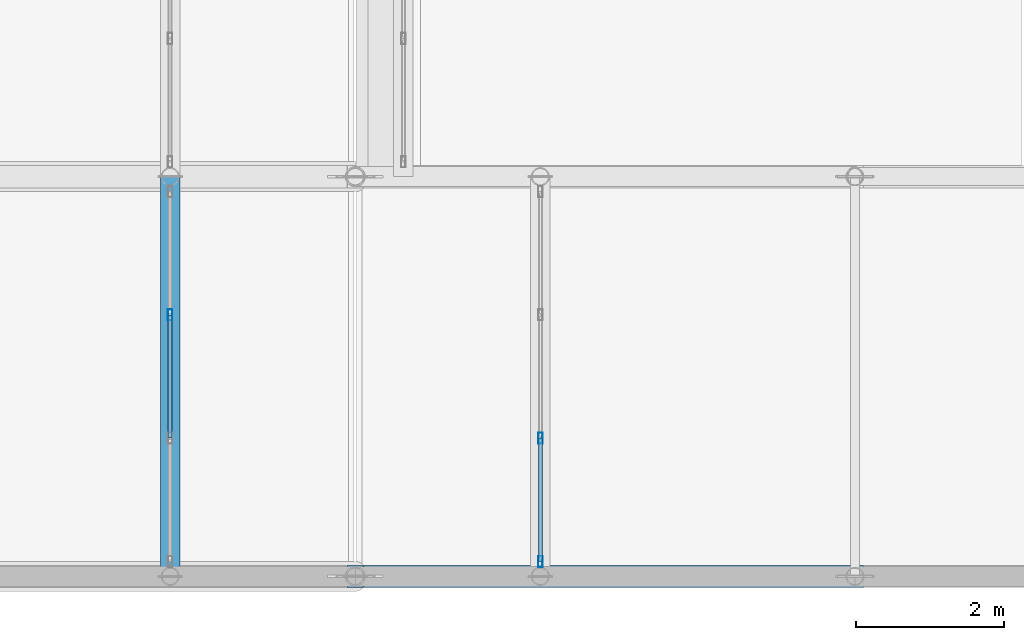
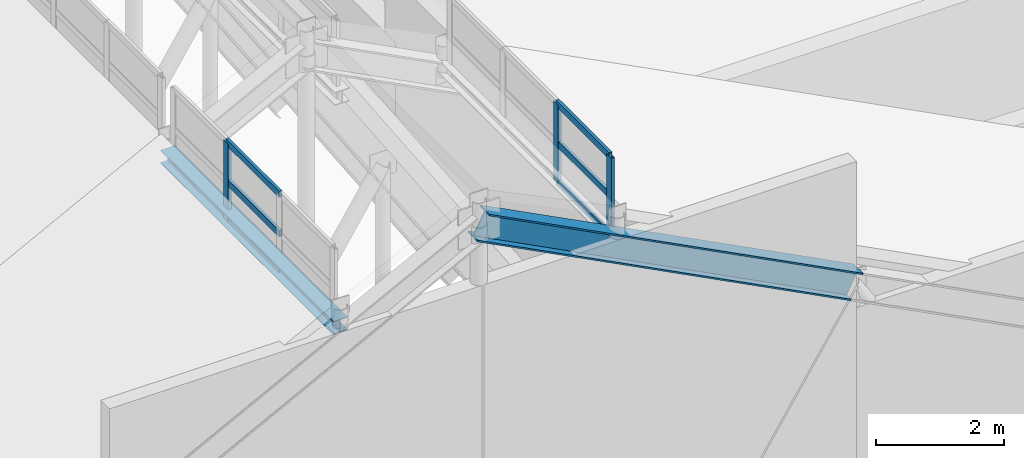
# One storey, part 7 of 84: 10 members, 1 beam, 2 elements without a shape of their own.
"""IFC4 building model written with IfcOpenShell, lengths in metres."""

from ifc_helpers import new_model, si_unit, direction, frame, origin, origin_2d, place, context, subcontext, project, spatial, hollow_rectangle, i_section, extrude, material, layer, layer_set, material_profile, profile_set, type_object, element, aggregate, save


model = new_model("IFC4")

# Units and contexts
model_context = context("Model", 3, precision=1e-05, world=origin(), true_north=direction((0.0, 1.0)))
body_context = subcontext(model_context, "Body", "Model", "MODEL_VIEW")
ifc_project = project(units=[si_unit("LENGTHUNIT", "METRE"), si_unit("AREAUNIT", "SQUARE_METRE"), si_unit("VOLUMEUNIT", "CUBIC_METRE"), si_unit("PLANEANGLEUNIT", "RADIAN"), si_unit("MASSUNIT", "GRAM", prefix="KILO")], contexts=[model_context])

# Site, building, storey
site_placement = place(None, origin())
site = spatial("IfcSite", under=ifc_project, at=site_placement, CompositionType="ELEMENT")
building_placement = place(site_placement, origin())
building = spatial("IfcBuilding", under=site, at=building_placement, Name="Sundgate Opera House", CompositionType="ELEMENT")
storey_placement = place(building_placement, frame((0.0, 0.0, 30.60009765625)))
storey = spatial("IfcBuildingStorey", under=building, at=storey_placement, Name="L06", CompositionType="ELEMENT", Elevation=30.60009765625)

# Beam
ifc_material_1 = material(Name="Steel S355J2", Category="steel")
ifc_material_profile_1 = material_profile(ifc_material_1, i_section(OverallWidth=0.260009765625, OverallDepth=0.25, WebThickness=0.007568359375, FlangeThickness=0.012451171875, at=origin_2d()), Name="HEA 260")
ifc_profile_set_1 = profile_set([ifc_material_profile_1], Name="Steel S355J2")
beam_type = type_object("IfcBeamType", Name="BM-LN-HEA260", PredefinedType="LINTEL", material=ifc_profile_set_1)
beam_placement = place(storey_placement, frame((51.5, 33.0, 12.119873046875), z_axis=(0.0, 1.0, 0.0), x_axis=(-1.0, 0.0, 0.0)))
element("IfcBeam", 1, at=beam_placement, inside=storey, type_object=beam_type, Name="L06 Crown Clerestory Curb Beam BS022", PredefinedType="LINTEL", context=body_context, shape_type="SweptSolid", body=[
    extrude(i_section(OverallWidth=0.260009765625, OverallDepth=0.25, WebThickness=0.007568359375, FlangeThickness=0.012451171875, at=origin_2d()), origin(), (0.0, 0.0, 1.0), 5.39990234375),
])

# Curtain wall, member
ifc_material_2 = material(Name="Anodized aluminium and low-iron glass", Category="aluminium")
ifc_layer = layer(ifc_material_2, 0.169921875)
ifc_layer_set = layer_set([ifc_layer], Name="Anodized aluminium and low-iron glass")
curtain_wall_type = type_object("IfcCurtainWallType", Name="CW-LANTERN-POLY", PredefinedType="NOTDEFINED", material=ifc_layer_set)
curtain_wall_1_placement = place(storey_placement, origin())
curtain_wall_1 = element("IfcCurtainWall", 2, at=curtain_wall_1_placement, inside=storey, type_object=curtain_wall_type, Name="L06 Curtain Wall CW169", PredefinedType="NOTDEFINED")
ifc_material_3 = material(Name="Anodized aluminium EN AW-6063", Category="aluminium")
ifc_material_profile_2 = material_profile(ifc_material_3, hollow_rectangle(XDim=0.06005859375, YDim=0.14990234375, WallThickness=0.00390625, at=origin_2d()), Name="CWM 150x60x4")
ifc_profile_set_2 = profile_set([ifc_material_profile_2], Name="Anodized aluminium EN AW-6063")
member_type_1 = type_object("IfcMemberType", Name="CWM-ALU-150x60", PredefinedType="MULLION", material=ifc_profile_set_2)
member_1_placement = place(storey_placement, frame((51.5, 36.533447265625, 12.0), z_axis=(0.0, 0.0, 1.0), x_axis=(1.0, 0.0, 0.0)))
member_1 = element("IfcMember", 3, at=member_1_placement, type_object=member_type_1, Name="CW169 Mullion 2", PredefinedType="MULLION", context=body_context, shape_type="SweptSolid", body=[
    extrude(hollow_rectangle(XDim=0.06005859375, YDim=0.14990234375, WallThickness=0.00390625, at=origin_2d()), origin(), (0.0, 0.0, 1.0), 1.5),
])

# Curtain wall, members
curtain_wall_2_placement = place(storey_placement, origin())
curtain_wall_2 = element("IfcCurtainWall", 4, at=curtain_wall_2_placement, inside=storey, type_object=curtain_wall_type, Name="L06 Curtain Wall CW170", PredefinedType="NOTDEFINED")
member_2_placement = place(storey_placement, frame((56.5, 33.199951171875, 12.0), z_axis=(0.0, 0.0, 1.0), x_axis=(1.0, 0.0, 0.0)))
member_2 = element("IfcMember", 5, at=member_2_placement, type_object=member_type_1, Name="CW170 Mullion 1", PredefinedType="MULLION", context=body_context, shape_type="SweptSolid", body=[
    extrude(hollow_rectangle(XDim=0.06005859375, YDim=0.14990234375, WallThickness=0.00390625, at=origin_2d()), origin(), (0.0, 0.0, 1.0), 1.5),
])
member_3_placement = place(storey_placement, frame((56.5, 34.86669921875, 12.0), z_axis=(0.0, 0.0, 1.0), x_axis=(1.0, 0.0, 0.0)))
member_3 = element("IfcMember", 6, at=member_3_placement, type_object=member_type_1, Name="CW170 Mullion 2", PredefinedType="MULLION", context=body_context, shape_type="SweptSolid", body=[
    extrude(hollow_rectangle(XDim=0.06005859375, YDim=0.14990234375, WallThickness=0.00390625, at=origin_2d()), origin(), (0.0, 0.0, 1.0), 1.5),
])

# Member
ifc_material_4 = material(Name="Anodized aluminium EN AW-6063", Category="aluminium")
ifc_material_profile_3 = material_profile(ifc_material_4, hollow_rectangle(XDim=0.054931640625, YDim=0.1201171875, WallThickness=0.00390625, at=origin_2d()), Name="CWT 120x55x4")
ifc_profile_set_3 = profile_set([ifc_material_profile_3], Name="Anodized aluminium EN AW-6063")
member_type_2 = type_object("IfcMemberType", Name="CWT-ALU-120x55", PredefinedType="USERDEFINED", material=ifc_profile_set_3)
member_4_placement = place(storey_placement, frame((51.5, 36.533447265625, 12.0), z_axis=(0.0, -1.0, 0.0), x_axis=(1.0, 0.0, 0.0)))
member_4 = element("IfcMember", 7, at=member_4_placement, type_object=member_type_2, Name="CW169 Transom 4", ObjectType="TRANSOM", PredefinedType="USERDEFINED", context=body_context, shape_type="SweptSolid", body=[
    extrude(hollow_rectangle(XDim=0.054931640625, YDim=0.1201171875, WallThickness=0.00390625, at=origin_2d()), origin(), (0.0, 0.0, 1.0), 1.666748046875),
])

member_5_placement = place(storey_placement, frame((51.5, 36.533447265625, 12.75), z_axis=(0.0, -1.0, 0.0), x_axis=(1.0, 0.0, 0.0)))
member_5 = element("IfcMember", 8, at=member_5_placement, type_object=member_type_2, Name="CW169 Transom 5", ObjectType="TRANSOM", PredefinedType="USERDEFINED", context=body_context, shape_type="SweptSolid", body=[
    extrude(hollow_rectangle(XDim=0.054931640625, YDim=0.1201171875, WallThickness=0.00390625, at=origin_2d()), origin(), (0.0, 0.0, 1.0), 1.666748046875),
])

member_6_placement = place(storey_placement, frame((51.5, 36.533447265625, 13.5), z_axis=(0.0, -1.0, 0.0), x_axis=(1.0, 0.0, 0.0)))
member_6 = element("IfcMember", 9, at=member_6_placement, type_object=member_type_2, Name="CW169 Transom 6", ObjectType="TRANSOM", PredefinedType="USERDEFINED", context=body_context, shape_type="SweptSolid", body=[
    extrude(hollow_rectangle(XDim=0.054931640625, YDim=0.1201171875, WallThickness=0.00390625, at=origin_2d()), origin(), (0.0, 0.0, 1.0), 1.666748046875),
])

aggregate(curtain_wall_1, [member_1, member_4, member_5, member_6])

member_7_placement = place(storey_placement, frame((56.5, 33.199951171875, 12.0), z_axis=(0.0, 1.0, 0.0), x_axis=(-1.0, 0.0, 0.0)))
member_7 = element("IfcMember", 10, at=member_7_placement, type_object=member_type_2, Name="CW170 Transom 1", ObjectType="TRANSOM", PredefinedType="USERDEFINED", context=body_context, shape_type="SweptSolid", body=[
    extrude(hollow_rectangle(XDim=0.054931640625, YDim=0.1201171875, WallThickness=0.00390625, at=origin_2d()), origin(), (0.0, 0.0, 1.0), 1.666748046875),
])

member_8_placement = place(storey_placement, frame((56.5, 33.199951171875, 12.75), z_axis=(0.0, 1.0, 0.0), x_axis=(-1.0, 0.0, 0.0)))
member_8 = element("IfcMember", 11, at=member_8_placement, type_object=member_type_2, Name="CW170 Transom 2", ObjectType="TRANSOM", PredefinedType="USERDEFINED", context=body_context, shape_type="SweptSolid", body=[
    extrude(hollow_rectangle(XDim=0.054931640625, YDim=0.1201171875, WallThickness=0.00390625, at=origin_2d()), origin(), (0.0, 0.0, 1.0), 1.666748046875),
])

member_9_placement = place(storey_placement, frame((56.5, 33.199951171875, 13.5), z_axis=(0.0, 1.0, 0.0), x_axis=(-1.0, 0.0, 0.0)))
member_9 = element("IfcMember", 12, at=member_9_placement, type_object=member_type_2, Name="CW170 Transom 3", ObjectType="TRANSOM", PredefinedType="USERDEFINED", context=body_context, shape_type="SweptSolid", body=[
    extrude(hollow_rectangle(XDim=0.054931640625, YDim=0.1201171875, WallThickness=0.00390625, at=origin_2d()), origin(), (0.0, 0.0, 1.0), 1.666748046875),
])

aggregate(curtain_wall_2, [member_2, member_3, member_7, member_8, member_9])

ifc_material_5 = material(Name="Steel S355J2", Category="steel")
ifc_material_profile_4 = material_profile(ifc_material_5, i_section(OverallWidth=0.300048828125, OverallDepth=0.5, WebThickness=0.014404296875, FlangeThickness=0.028076171875, at=origin_2d()), Name="HEB 500")
ifc_profile_set_4 = profile_set([ifc_material_profile_4], Name="Steel S355J2")
member_type_3 = type_object("IfcMemberType", Name="MB-CHORD-HEB500", PredefinedType="CHORD", material=ifc_profile_set_4)
member_10_placement = place(storey_placement, frame((54.0, 33.0, 13.199951171875), z_axis=(0.88829222652, 0.0, -0.459278695678), x_axis=(0.0, 1.0, 0.0)))
element("IfcMember", 13, at=member_10_placement, inside=storey, type_object=member_type_3, Name="L06 Auditorium Truss Top Chord M0040", PredefinedType="CHORD", context=body_context, shape_type="SweptSolid", body=[
    extrude(i_section(OverallWidth=0.300048828125, OverallDepth=0.5, WebThickness=0.014404296875, FlangeThickness=0.028076171875, at=origin_2d()), origin(), (0.0, 0.0, 1.0), 7.598876953125),
])

save(model, "model.ifc")
